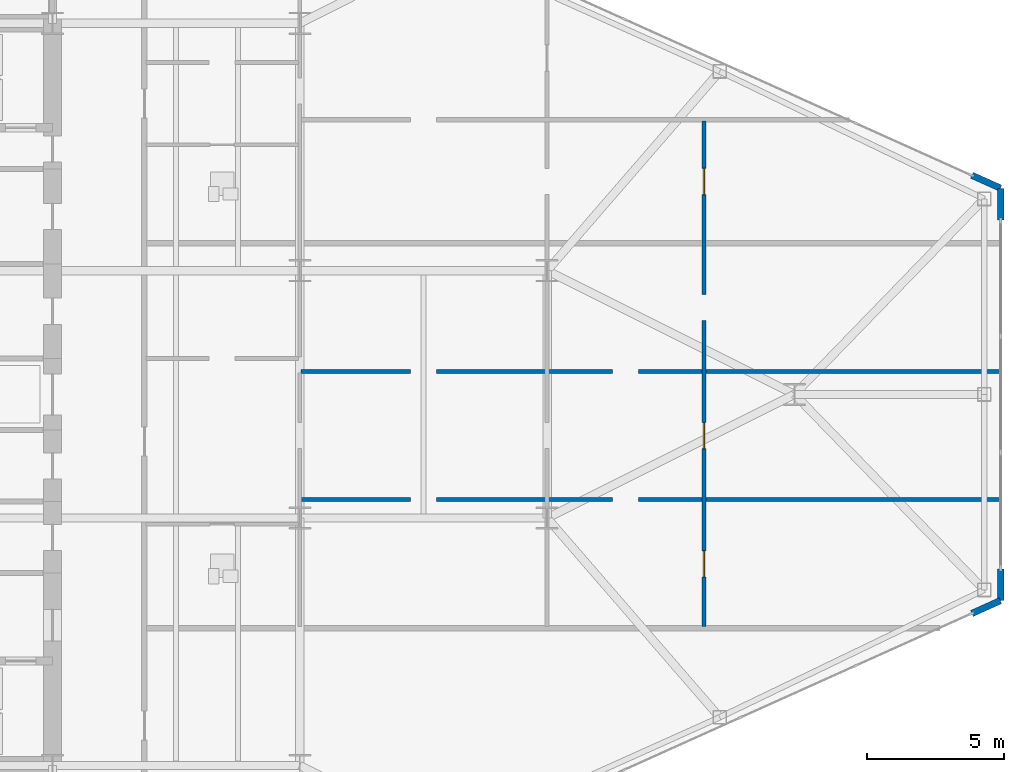
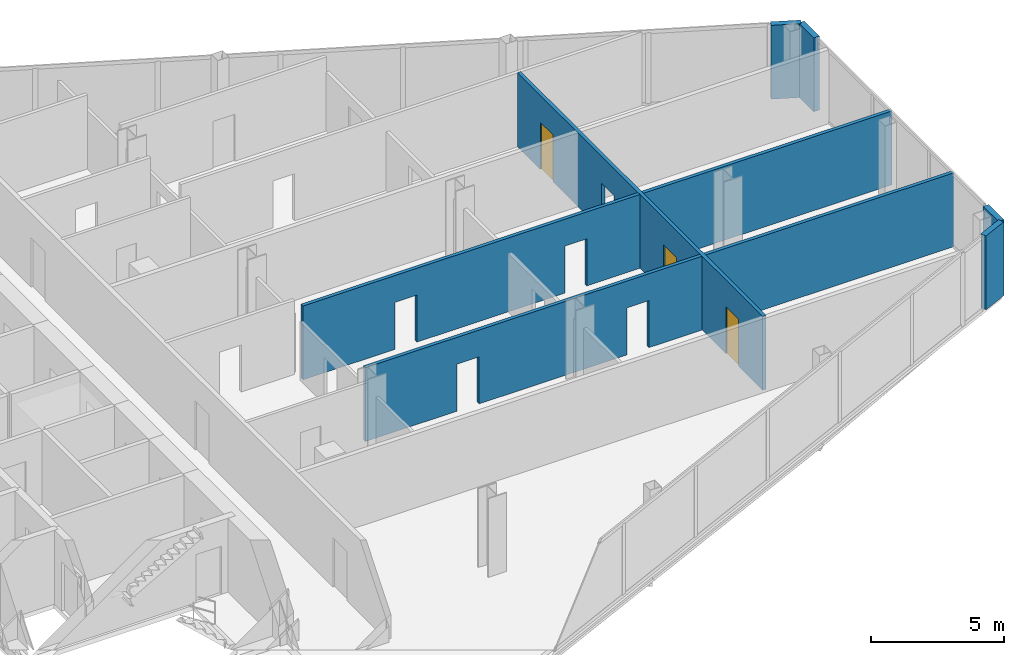
# One storey, part 24 of 27: 7 walls, 3 doors, 8 openings.
"""IFC4 building model written with IfcOpenShell, lengths in metres."""

from ifc_helpers import new_model, si_unit, direction, frame, frame_2d, origin, place, context, subcontext, project, spatial, rectangle, extrude, source, transform, mapped, material, layer, layer_set, type_object, type_shapes, element, fill, save


model = new_model("IFC4")

# Units and contexts
model_context = context("Model", 3, precision=1e-05, world=origin(), true_north=direction((0.0, 1.0)))
body_context = subcontext(model_context, "Body", "Model", "MODEL_VIEW")
ifc_project = project(units=[si_unit("LENGTHUNIT", "METRE"), si_unit("AREAUNIT", "SQUARE_METRE"), si_unit("VOLUMEUNIT", "CUBIC_METRE"), si_unit("PLANEANGLEUNIT", "RADIAN"), si_unit("MASSUNIT", "GRAM", prefix="KILO")], contexts=[model_context])

# Site, building, storey
site_placement = place(None, origin())
site = spatial("IfcSite", under=ifc_project, at=site_placement, CompositionType="ELEMENT")
building_placement = place(site_placement, origin())
building = spatial("IfcBuilding", under=site, at=building_placement, Name="Seokmaru Belvedere", CompositionType="ELEMENT")
storey_placement = place(building_placement, frame((0.0, 0.0, 72.89990234375)))
storey = spatial("IfcBuildingStorey", under=building, at=storey_placement, Name="L19", CompositionType="ELEMENT", Elevation=72.89990234375)

# Wall, openings
ifc_material_1 = material(Name="Fire-Rated Gypsum Shaftwall")
ifc_layer_1 = layer(ifc_material_1, 0.14990234375)
ifc_layer_set_1 = layer_set([ifc_layer_1], Name="Fire-Rated Gypsum Shaftwall")
wall_type_1 = type_object("IfcWallType", Name="Apartment Fire-Acoustic Room Partition 150", PredefinedType="PARTITIONING", material=ifc_layer_set_1)
wall_1_placement = place(storey_placement, frame((45.550048828125, -3.830078125, 0.0), z_axis=(0.0, 0.0, 1.0), x_axis=(1.0, 0.0, 0.0)))
wall_1 = element("IfcWall", 1, at=wall_1_placement, inside=storey, type_object=wall_type_1, Name="L19 Interior Partition 012", PredefinedType="PARTITIONING", context=body_context, shape_type="SweptSolid", body=[
    extrude(rectangle(XDim=25.48486328125, YDim=0.14990234375, at=frame_2d((12.742431640625, 0.0))), origin(), (0.0, 0.0, 1.0), 3.380126953125),
])
opening_1_placement = place(wall_1_placement, frame((3.97509765625, 0.0, 0.0)))
element("IfcOpeningElement", 2, at=opening_1_placement, cuts=wall_1, Name="L19 Cased Opening 039", PredefinedType="OPENING", context=body_context, shape_type="SweptSolid", body=[
    extrude(rectangle(XDim=0.949951171875, YDim=2.14990234375, at=frame_2d((0.47509765625, 1.074951171875))), frame((0.0, 0.0849609375, 0.0), z_axis=(0.0, -1.0, 0.0), x_axis=(1.0, 0.0, 0.0)), (0.0, 0.0, 1.0), 0.169921875),
])
opening_2_placement = place(wall_1_placement, frame((11.324951171875, 0.0, 0.0)))
element("IfcOpeningElement", 3, at=opening_2_placement, cuts=wall_1, Name="L19 Cased Opening 041", PredefinedType="OPENING", context=body_context, shape_type="SweptSolid", body=[
    extrude(rectangle(XDim=0.949951171875, YDim=2.14990234375, at=frame_2d((0.47509765625, 1.074951171875))), frame((0.0, 0.0849609375, 0.0), z_axis=(0.0, -1.0, 0.0), x_axis=(1.0, 0.0, 0.0)), (0.0, 0.0, 1.0), 0.169921875),
])

wall_2_placement = place(storey_placement, frame((45.550048828125, 0.830078125, 0.0), z_axis=(0.0, 0.0, 1.0), x_axis=(1.0, 0.0, 0.0)))
wall_2 = element("IfcWall", 4, at=wall_2_placement, inside=storey, type_object=wall_type_1, Name="L19 Interior Partition 015", PredefinedType="PARTITIONING", context=body_context, shape_type="SweptSolid", body=[
    extrude(rectangle(XDim=25.48486328125, YDim=0.14990234375, at=frame_2d((12.742431640625, 0.0))), origin(), (0.0, 0.0, 1.0), 3.380126953125),
])
opening_3_placement = place(wall_2_placement, frame((3.97509765625, 0.0, 0.0)))
element("IfcOpeningElement", 5, at=opening_3_placement, cuts=wall_2, Name="L19 Cased Opening 040", PredefinedType="OPENING", context=body_context, shape_type="SweptSolid", body=[
    extrude(rectangle(XDim=0.949951171875, YDim=2.14990234375, at=frame_2d((0.47509765625, 1.074951171875))), frame((0.0, 0.0849609375, 0.0), z_axis=(0.0, -1.0, 0.0), x_axis=(1.0, 0.0, 0.0)), (0.0, 0.0, 1.0), 0.169921875),
])
opening_4_placement = place(wall_2_placement, frame((11.324951171875, 0.0, 0.0)))
element("IfcOpeningElement", 6, at=opening_4_placement, cuts=wall_2, Name="L19 Cased Opening 044", PredefinedType="OPENING", context=body_context, shape_type="SweptSolid", body=[
    extrude(rectangle(XDim=0.949951171875, YDim=2.14990234375, at=frame_2d((0.47509765625, 1.074951171875))), frame((0.0, 0.0849609375, 0.0), z_axis=(0.0, -1.0, 0.0), x_axis=(1.0, 0.0, 0.0)), (0.0, 0.0, 1.0), 0.169921875),
])

# Wall, openings, doors
wall_3_placement = place(storey_placement, frame((60.199951171875, -8.449951171875, 0.0), z_axis=(0.0, 0.0, 1.0), x_axis=(0.0, 1.0, 0.0)))
wall_3 = element("IfcWall", 7, at=wall_3_placement, inside=storey, type_object=wall_type_1, Name="L19 Interior Partition 050", PredefinedType="PARTITIONING", context=body_context, shape_type="SweptSolid", body=[
    extrude(rectangle(XDim=18.391845703125, YDim=0.14990234375, at=frame_2d((9.19580078125, 0.0))), origin(), (0.0, 0.0, 1.0), 3.380126953125),
])
opening_5_placement = place(wall_3_placement, frame((1.808349609375, 0.0, 0.0)))
opening_5 = element("IfcOpeningElement", 8, at=opening_5_placement, cuts=wall_3, Name="Opening D05", PredefinedType="OPENING", context=body_context, shape_type="SweptSolid", body=[
    extrude(rectangle(XDim=0.949951171875, YDim=2.14990234375, at=frame_2d((0.47509765625, 1.074951171875))), frame((0.0, 0.0849609375, 0.0), z_axis=(0.0, -1.0, 0.0), x_axis=(1.0, 0.0, 0.0)), (0.0, 0.0, 1.0), 0.169921875),
])
opening_6_placement = place(wall_3_placement, frame((6.47509765625, 0.0, 0.0)))
opening_6 = element("IfcOpeningElement", 9, at=opening_6_placement, cuts=wall_3, Name="Opening D05", PredefinedType="OPENING", context=body_context, shape_type="SweptSolid", body=[
    extrude(rectangle(XDim=0.949951171875, YDim=2.14990234375, at=frame_2d((0.47509765625, 1.074951171875))), frame((0.0, 0.0849609375, 0.0), z_axis=(0.0, -1.0, 0.0), x_axis=(1.0, 0.0, 0.0)), (0.0, 0.0, 1.0), 0.169921875),
])
opening_7_placement = place(wall_3_placement, frame((11.1416015625, 0.0, 0.0)))
element("IfcOpeningElement", 10, at=opening_7_placement, cuts=wall_3, Name="L19 Cased Opening 045", PredefinedType="OPENING", context=body_context, shape_type="SweptSolid", body=[
    extrude(rectangle(XDim=0.949951171875, YDim=2.14990234375, at=frame_2d((0.47509765625, 1.074951171875))), frame((0.0, 0.0849609375, 0.0), z_axis=(0.0, -1.0, 0.0), x_axis=(1.0, 0.0, 0.0)), (0.0, 0.0, 1.0), 0.169921875),
])
opening_8_placement = place(wall_3_placement, frame((15.720947265625, 0.0, 0.0)))
opening_8 = element("IfcOpeningElement", 11, at=opening_8_placement, cuts=wall_3, Name="Opening D05", PredefinedType="OPENING", context=body_context, shape_type="SweptSolid", body=[
    extrude(rectangle(XDim=0.949951171875, YDim=2.14990234375, at=frame_2d((0.47509765625, 1.074951171875))), frame((0.0, 0.0849609375, 0.0), z_axis=(0.0, -1.0, 0.0), x_axis=(1.0, 0.0, 0.0)), (0.0, 0.0, 1.0), 0.169921875),
])
ifc_material_2 = material(Name="Engineered White Oak Timber", Category="wood")
door_type = type_object("IfcDoorType", Name="Apartment Interior Fire-Rated Oak Door 950x2150", OperationType="NOTDEFINED", PredefinedType="DOOR", material=ifc_material_2)
shared_shape = source(origin(), body_context, "Body", "SweptSolid", [
    extrude(rectangle(XDim=0.949951171875, YDim=2.14990234375, at=frame_2d((0.47509765625, 1.074951171875))), frame((0.0, 0.02490234375, 0.0), z_axis=(0.0, -1.0, 0.0), x_axis=(1.0, 0.0, 0.0)), (0.0, 0.0, 1.0), 0.050048828125),
])
type_shapes(door_type, [shared_shape])
door_1_placement = place(opening_5_placement, origin())
door_1 = element("IfcDoor", 12, at=door_1_placement, inside=storey, type_object=door_type, Name="L19 Interior Door 042", OperationType="SINGLE_SWING_LEFT", OverallHeight=2.14990234375, OverallWidth=0.949951171875, PredefinedType="DOOR", context=body_context, shape_type="MappedRepresentation", body=[
    mapped(shared_shape, transform((0.0, 0.0, 0.0), scale=1.0)),
])
fill(opening_5, door_1)
door_2_placement = place(opening_6_placement, origin())
door_2 = element("IfcDoor", 13, at=door_2_placement, inside=storey, type_object=door_type, Name="L19 Interior Door 043", OperationType="SINGLE_SWING_LEFT", OverallHeight=2.14990234375, OverallWidth=0.949951171875, PredefinedType="DOOR", context=body_context, shape_type="MappedRepresentation", body=[
    mapped(shared_shape, transform((0.0, 0.0, 0.0), scale=1.0)),
])
fill(opening_6, door_2)
door_3_placement = place(opening_8_placement, origin())
door_3 = element("IfcDoor", 14, at=door_3_placement, inside=storey, type_object=door_type, Name="L19 Interior Door 054", OperationType="SINGLE_SWING_LEFT", OverallHeight=2.14990234375, OverallWidth=0.949951171875, PredefinedType="DOOR", context=body_context, shape_type="MappedRepresentation", body=[
    mapped(shared_shape, transform((0.0, 0.0, 0.0), scale=1.0)),
])
fill(opening_8, door_3)

# Walls
ifc_material_3 = material(Name="Anodised Bronze Aluminium", Category="aluminium")
ifc_layer_2 = layer(ifc_material_3, 0.239990234375)
ifc_layer_set_2 = layer_set([ifc_layer_2], Name="Anodised Bronze Aluminium")
wall_type_2 = type_object("IfcWallType", Name="Tower Corner Spandrel Closure Wall 240", PredefinedType="SOLIDWALL", material=ifc_layer_set_2)
for number, where, z_axis, x_axis, name in (
    (15, (69.951416015625, -7.971923828125, 0.0), (0.0, 0.0, 1.0), (0.911929519623, 0.410346866979, 0.0), "L19 E Corner Closure Pier 1B"),
    (16, (71.0, -7.489990234375, 0.0), (0.0, 0.0, 1.0), (0.0, 1.0, 0.0), "L19 E Corner Closure Pier 2A"),
    (17, (71.0, 6.35009765625, 0.0), (0.0, 0.0, 1.0), (0.0, 1.0, 0.0), "L19 E Corner Closure Pier 2B"),
    (18, (70.990966796875, 7.504150390625, 0.0), (0.0, 0.0, 1.0), (-0.911929519623, 0.410346866979, 0.0), "L19 E Corner Closure Pier 3A"),
):
    element("IfcWall", number, at=place(storey_placement, frame(where, z_axis=z_axis, x_axis=x_axis)), inside=storey, type_object=wall_type_2, Name=name, PredefinedType="SOLIDWALL", context=body_context, shape_type="SweptSolid", body=[
        extrude(rectangle(XDim=1.139892578125, YDim=0.239990234375, at=frame_2d((0.56982421875, 0.0))), origin(), (0.0, 0.0, 1.0), 3.380126953125),
    ])

save(model, "model.ifc")
